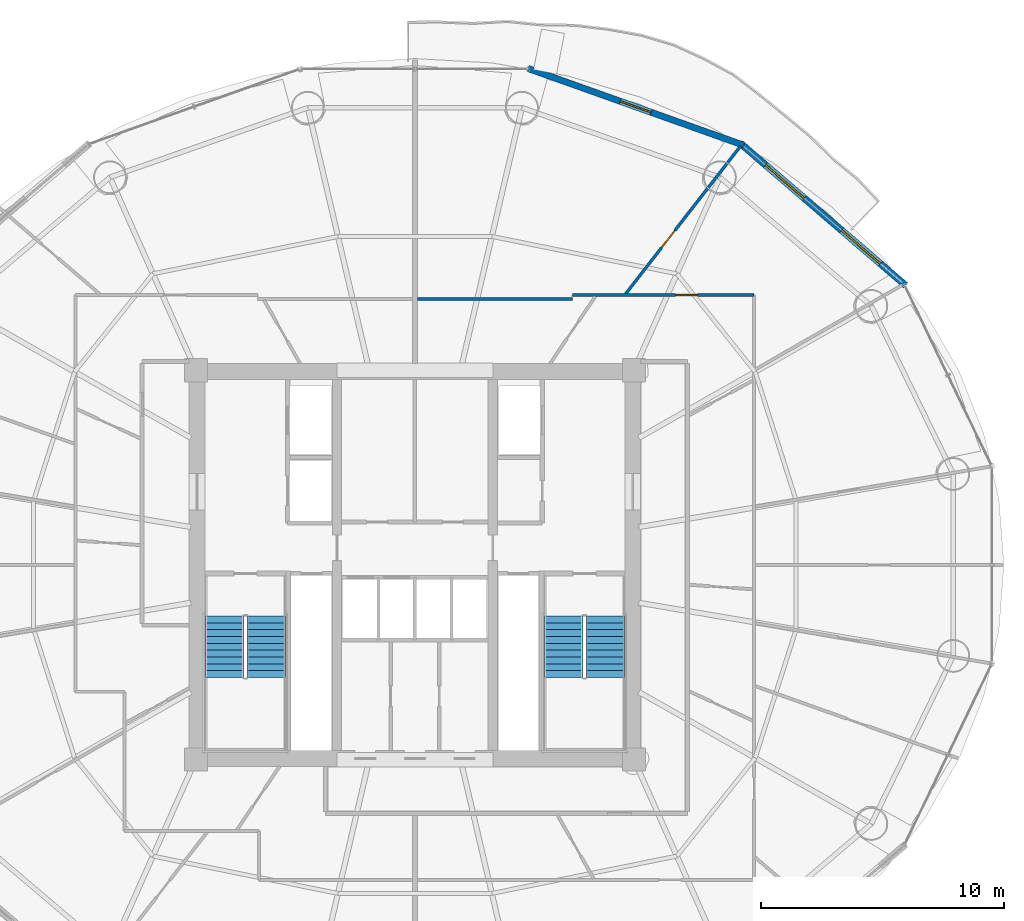
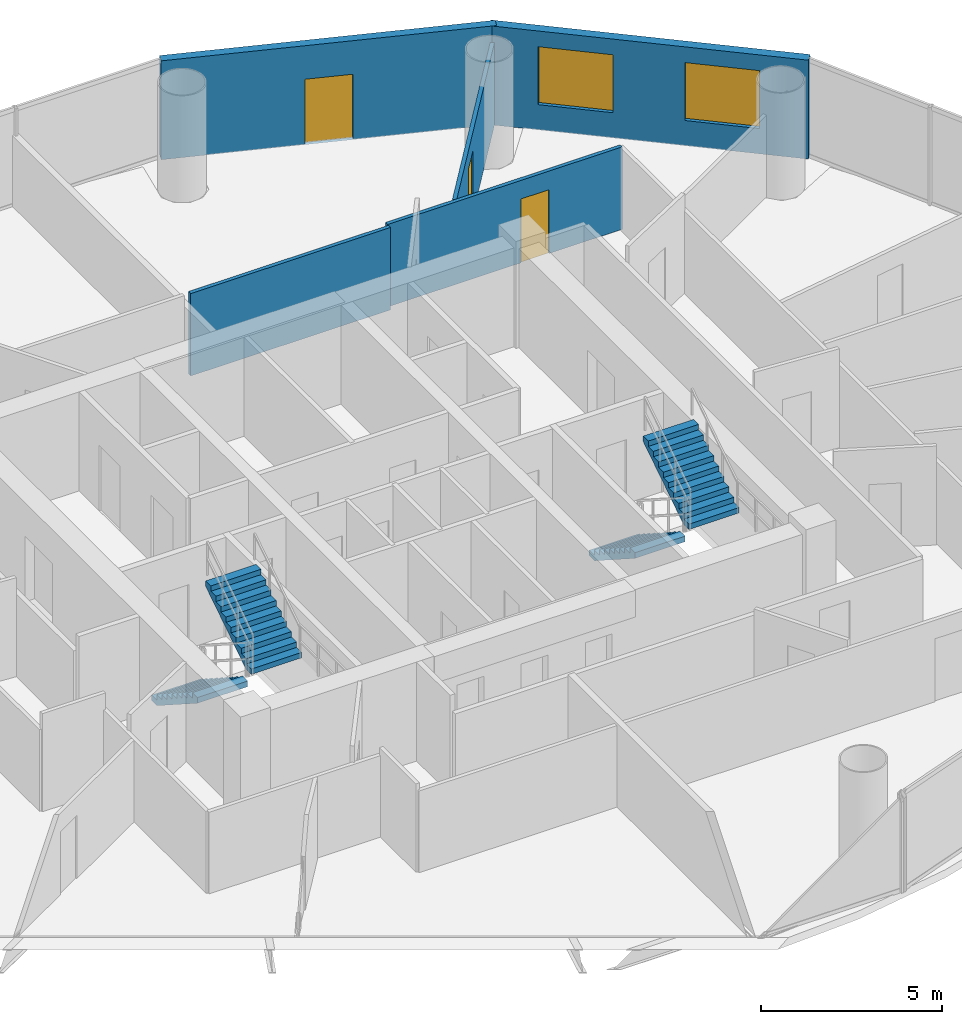
# One storey, part 23 of 26: 5 walls, 4 stair flights, 3 doors, 2 windows, 5 openings, 2 elements without a shape of their own.
"""IFC4 building model written with IfcOpenShell, lengths in metres."""

from ifc_helpers import new_model, si_unit, direction, frame, frame_2d, origin, place, context, subcontext, project, spatial, polyline, rectangle, outline, extrude, source, transform, mapped, material, layer, layer_set, type_object, element, fill, aggregate, save


model = new_model("IFC4")

# Units and contexts
model_context = context("Model", 3, precision=1e-05, world=origin(), true_north=direction((-0.2419218956, 0.970295726276)))
body_context = subcontext(model_context, "Body", "Model", "MODEL_VIEW")
ifc_project = project(units=[si_unit("LENGTHUNIT", "METRE"), si_unit("AREAUNIT", "SQUARE_METRE"), si_unit("VOLUMEUNIT", "CUBIC_METRE"), si_unit("PLANEANGLEUNIT", "RADIAN"), si_unit("MASSUNIT", "GRAM", prefix="KILO")], contexts=[model_context])

# Site, building, storey
site_placement = place(None, origin())
site = spatial("IfcSite", under=ifc_project, at=site_placement, CompositionType="ELEMENT")
building_placement = place(site_placement, origin())
building = spatial("IfcBuilding", under=site, at=building_placement, Name="Cobrevalo Terracotta Tower", CompositionType="ELEMENT")
storey_placement = place(building_placement, frame((0.0, 0.0, 167.800048828125)))
storey = spatial("IfcBuildingStorey", under=building, at=storey_placement, Name="L44", CompositionType="ELEMENT", Elevation=167.800048828125)

# Wall, openings, windows
ifc_material_1 = material(Name="Autoclaved aerated concrete block", Category="concrete")
ifc_layer_1 = layer(ifc_material_1, 0.280029296875)
ifc_layer_set_1 = layer_set([ifc_layer_1], Name="Autoclaved aerated concrete block")
wall_type_1 = type_object("IfcWallType", Name="Insulated tower spandrel & pier wall 280 mm with terracotta rainscreen", PredefinedType="SOLIDWALL", material=ifc_layer_set_1)
wall_1_placement = place(storey_placement, frame((58.1572265625, 38.287109375, 0.0), z_axis=(0.0, 0.0, 1.0), x_axis=(-0.75843401647, 0.651749831348, 0.0)))
wall_1 = element("IfcWall", 1, at=wall_1_placement, inside=storey, type_object=wall_type_1, Name="L44 terracotta rainscreen pier wall S02", PredefinedType="SOLIDWALL", context=body_context, shape_type="SweptSolid", body=[
    extrude(rectangle(XDim=8.952392578125, YDim=0.280029296875, at=frame_2d((4.47607421875, 0.0))), origin(), (0.0, 0.0, 1.0), 3.329833984375),
])
opening_1_placement = place(wall_1_placement, frame((1.3671875, 0.0, 0.85009765625)))
opening_1 = element("IfcOpeningElement", 2, at=opening_1_placement, cuts=wall_1, Name="Opening WN-10", PredefinedType="OPENING", context=body_context, shape_type="SweptSolid", body=[
    extrude(rectangle(XDim=2.10009765625, YDim=1.949951171875, at=frame_2d((1.050048828125, 0.97509765625))), frame((0.0, 0.14990234375, 0.0), z_axis=(0.0, -1.0, 0.0), x_axis=(1.0, 0.0, 0.0)), (0.0, 0.0, 1.0), 0.300048828125),
])
opening_2_placement = place(wall_1_placement, frame((5.4853515625, 0.0, 0.85009765625)))
opening_2 = element("IfcOpeningElement", 3, at=opening_2_placement, cuts=wall_1, Name="Opening WN-10", PredefinedType="OPENING", context=body_context, shape_type="SweptSolid", body=[
    extrude(rectangle(XDim=2.10009765625, YDim=1.949951171875, at=frame_2d((1.050048828125, 0.97509765625))), frame((0.0, 0.14990234375, 0.0), z_axis=(0.0, -1.0, 0.0), x_axis=(1.0, 0.0, 0.0)), (0.0, 0.0, 1.0), 0.300048828125),
])
ifc_material_2 = material(Name="Solar-control low-E double glazing", Category="glass")
window_type = type_object("IfcWindowType", Name="Wide panoramic low-E aluminium window 2100x1950", PartitioningType="SINGLE_PANEL", PredefinedType="WINDOW", material=ifc_material_2)
shared_shape_1 = source(origin(), body_context, "Body", "SweptSolid", [
    extrude(rectangle(XDim=2.10009765625, YDim=1.949951171875, at=frame_2d((1.050048828125, 0.97509765625))), frame((0.0, 0.030029296875, 0.0), z_axis=(0.0, -1.0, 0.0), x_axis=(1.0, 0.0, 0.0)), (0.0, 0.0, 1.0), 0.06005859375),
])
window_1_placement = place(opening_1_placement, origin())
window_1 = element("IfcWindow", 4, at=window_1_placement, inside=storey, type_object=window_type, Name="L44 suite window S02A", OverallHeight=1.949951171875, OverallWidth=2.10009765625, PartitioningType="SINGLE_PANEL", PredefinedType="WINDOW", context=body_context, shape_type="MappedRepresentation", body=[
    mapped(shared_shape_1, transform((0.0, 0.0, 0.0), scale=1.0)),
])
fill(opening_1, window_1)
window_2_placement = place(opening_2_placement, origin())
window_2 = element("IfcWindow", 5, at=window_2_placement, inside=storey, type_object=window_type, Name="L44 suite window S02B", OverallHeight=1.949951171875, OverallWidth=2.10009765625, PartitioningType="SINGLE_PANEL", PredefinedType="WINDOW", context=body_context, shape_type="MappedRepresentation", body=[
    mapped(shared_shape_1, transform((0.0, 0.0, 0.0), scale=1.0)),
])
fill(opening_2, window_2)

# Wall, opening, door
ifc_layer_2 = layer(ifc_material_1, 0.260009765625)
ifc_layer_set_2 = layer_set([ifc_layer_2], Name="Autoclaved aerated concrete block")
wall_type_2 = type_object("IfcWallType", Name="Recessed balcony loggia insulated exterior wall 260 mm", PredefinedType="SOLIDWALL", material=ifc_layer_set_2)
wall_2_placement = place(storey_placement, frame((51.50341796875, 44.042724609375, 0.0), z_axis=(0.0, 0.0, 1.0), x_axis=(-0.942095406405, 0.335344964522, 0.0)))
wall_2 = element("IfcWall", 6, at=wall_2_placement, inside=storey, type_object=wall_type_2, Name="L44 balcony loggia wall S03", PredefinedType="SOLIDWALL", context=body_context, shape_type="SweptSolid", body=[
    extrude(rectangle(XDim=9.408203125, YDim=0.260009765625, at=frame_2d((4.7041015625, 0.0))), origin(), (0.0, 0.0, 1.0), 3.329833984375),
])
opening_3_placement = place(wall_2_placement, frame((4.029052734375, 0.0, 0.0)))
opening_3 = element("IfcOpeningElement", 7, at=opening_3_placement, cuts=wall_2, Name="Opening ED-05", PredefinedType="OPENING", context=body_context, shape_type="SweptSolid", body=[
    extrude(rectangle(XDim=1.35009765625, YDim=2.199951171875, at=frame_2d((0.675048828125, 1.10009765625))), frame((0.0, 0.14013671875, 0.0), z_axis=(0.0, -1.0, 0.0), x_axis=(1.0, 0.0, 0.0)), (0.0, 0.0, 1.0), 0.280029296875),
])
ifc_material_3 = material(Name="Anodized aluminium and laminated glass", Category="aluminium")
door_type_1 = type_object("IfcDoorType", Name="Suite balcony acoustic glazed terrace door 1350x2200", OperationType="NOTDEFINED", PredefinedType="DOOR", material=ifc_material_3)
shared_shape_2 = source(origin(), body_context, "Body", "SweptSolid", [
    extrude(rectangle(XDim=1.35009765625, YDim=2.199951171875, at=frame_2d((0.675048828125, 1.10009765625))), frame((0.0, 0.02490234375, 0.0), z_axis=(0.0, -1.0, 0.0), x_axis=(1.0, 0.0, 0.0)), (0.0, 0.0, 1.0), 0.050048828125),
])
door_1_placement = place(opening_3_placement, frame((1.35009765625, 0.0, 0.0), z_axis=(0.0, 0.0, 1.0), x_axis=(-1.0, 0.0, 0.0)))
door_1 = element("IfcDoor", 8, at=door_1_placement, inside=storey, type_object=door_type_1, Name="L44 glazed balcony terrace door 1", OperationType="SINGLE_SWING_LEFT", OverallHeight=2.199951171875, OverallWidth=1.35009765625, PredefinedType="DOOR", context=body_context, shape_type="MappedRepresentation", body=[
    mapped(shared_shape_2, transform((0.0, 0.0, 0.0), scale=1.0)),
])
fill(opening_3, door_1)

# Wall
ifc_material_4 = material(Name="Gypsum board on steel stud", Category="steel")
ifc_layer_3 = layer(ifc_material_4, 0.1201171875)
ifc_layer_set_3 = layer_set([ifc_layer_3], Name="Gypsum board on steel stud")
wall_type_3 = type_object("IfcWallType", Name="Residential internal acoustic stud partition 120 mm", PredefinedType="PARTITIONING", material=ifc_layer_set_3)
wall_3_placement = place(storey_placement, frame((38.10205078125, 37.72509765625, 0.0), z_axis=(0.0, 0.0, 1.0), x_axis=(1.0, 0.0, 0.0)))
element("IfcWall", 9, at=wall_3_placement, inside=storey, type_object=wall_type_3, Name="L44 interior partition IW-L44-U2-RING0_0", PredefinedType="PARTITIONING", context=body_context, shape_type="SweptSolid", body=[
    extrude(rectangle(XDim=6.363037109375, YDim=0.1201171875, at=frame_2d((3.181640625, 0.0))), origin(), (0.0, 0.0, 1.0), 2.77587890625),
])

# Wall, opening, door
wall_4_placement = place(storey_placement, frame((44.465087890625, 37.885009765625, 0.0), z_axis=(0.0, 0.0, 1.0), x_axis=(1.0, 0.0, 0.0)))
wall_4 = element("IfcWall", 10, at=wall_4_placement, inside=storey, type_object=wall_type_3, Name="L44 interior partition IW-L44-U2-RING2_0", PredefinedType="PARTITIONING", context=body_context, shape_type="SweptSolid", body=[
    extrude(rectangle(XDim=7.469970703125, YDim=0.1201171875, at=frame_2d((3.73486328125, 0.0))), origin(), (0.0, 0.0, 1.0), 2.77587890625),
])
opening_4_placement = place(wall_4_placement, frame((4.2412109375, 0.0, 0.0)))
opening_4 = element("IfcOpeningElement", 11, at=opening_4_placement, cuts=wall_4, Name="Opening ID-12", PredefinedType="OPENING", context=body_context, shape_type="SweptSolid", body=[
    extrude(rectangle(XDim=0.89990234375, YDim=2.14990234375, at=frame_2d((0.449951171875, 1.074951171875))), frame((0.0, 0.070068359375, 0.0), z_axis=(0.0, -1.0, 0.0), x_axis=(1.0, 0.0, 0.0)), (0.0, 0.0, 1.0), 0.14013671875),
])
ifc_material_5 = material(Name="Engineered timber", Category="wood")
door_type_2 = type_object("IfcDoorType", Name="Internal residence & suite timber door 900x2150", OperationType="NOTDEFINED", PredefinedType="DOOR", material=ifc_material_5)
shared_shape_3 = source(origin(), body_context, "Body", "SweptSolid", [
    extrude(rectangle(XDim=0.89990234375, YDim=2.14990234375, at=frame_2d((0.449951171875, 1.074951171875))), frame((0.0, 0.02490234375, 0.0), z_axis=(0.0, -1.0, 0.0), x_axis=(1.0, 0.0, 0.0)), (0.0, 0.0, 1.0), 0.050048828125),
])
door_2_placement = place(opening_4_placement, origin())
door_2 = element("IfcDoor", 12, at=door_2_placement, inside=storey, type_object=door_type_2, Name="Flat L44B Penthouse Family Lounge internal door", OperationType="SINGLE_SWING_LEFT", OverallHeight=2.14990234375, OverallWidth=0.89990234375, PredefinedType="DOOR", context=body_context, shape_type="MappedRepresentation", body=[
    mapped(shared_shape_3, transform((0.0, 0.0, 0.0), scale=1.0)),
])
fill(opening_4, door_2)

wall_5_placement = place(storey_placement, frame((46.655517578125, 37.933837890625, 0.0), z_axis=(0.0, 0.0, 1.0), x_axis=(0.613758289074, 0.789493991487, 0.0)))
wall_5 = element("IfcWall", 13, at=wall_5_placement, inside=storey, type_object=wall_type_3, Name="L44 interior partition IW-L44-U2-ORAD5", PredefinedType="PARTITIONING", context=body_context, shape_type="SweptSolid", body=[
    extrude(rectangle(XDim=7.695068359375, YDim=0.1201171875, at=frame_2d((3.84765625, 0.0))), origin(), (0.0, 0.0, 1.0), 2.77587890625),
])
opening_5_placement = place(wall_5_placement, frame((2.399169921875, 0.0, 0.0)))
opening_5 = element("IfcOpeningElement", 14, at=opening_5_placement, cuts=wall_5, Name="Opening ID-12", PredefinedType="OPENING", context=body_context, shape_type="SweptSolid", body=[
    extrude(rectangle(XDim=0.89990234375, YDim=2.14990234375, at=frame_2d((0.449951171875, 1.074951171875))), frame((0.0, 0.070068359375, 0.0), z_axis=(0.0, -1.0, 0.0), x_axis=(1.0, 0.0, 0.0)), (0.0, 0.0, 1.0), 0.14013671875),
])
door_3_placement = place(opening_5_placement, origin())
door_3 = element("IfcDoor", 15, at=door_3_placement, inside=storey, type_object=door_type_2, Name="Flat L44B Private Cinema Room internal door", OperationType="SINGLE_SWING_RIGHT", OverallHeight=2.14990234375, OverallWidth=0.89990234375, PredefinedType="DOOR", context=body_context, shape_type="MappedRepresentation", body=[
    mapped(shared_shape_3, transform((0.0, 0.0, 0.0), scale=1.0)),
])
fill(opening_5, door_3)

# Stair, stair flights
ifc_material_6 = material(Name="Concrete C50", Category="concrete")
stair_type = type_object("IfcStairType", Name="Core protected escape dogleg stair 1600", PredefinedType="HALF_TURN_STAIR", material=ifc_material_6)
stair_1_placement = place(storey_placement, origin())
stair_1 = element("IfcStair", 16, at=stair_1_placement, inside=storey, type_object=stair_type, Name="L44 Protected exit stair ST-1", PredefinedType="HALF_TURN_STAIR")
stair_flight_type = type_object("IfcStairFlightType", Name="Core protected escape dogleg stair 1600 flight", PredefinedType="STRAIGHT", material=ifc_material_6)
stair_flight_1_placement = place(storey_placement, frame((30.175048828125, 24.699951171875, 0.0), z_axis=(0.0, 0.0, 1.0), x_axis=(0.0, -1.0, 0.0)))
stair_flight_1 = element("IfcStairFlight", 17, at=stair_flight_1_placement, type_object=stair_flight_type, Name="ST-1 flight 1", NumberOfRisers=10, NumberOfTreads=9, PredefinedType="STRAIGHT", RiserHeight=0.18, TreadLength=0.28, context=body_context, shape_type="SweptSolid", body=[
    extrude(outline(polyline([(0.0, 0.0), (0.0, 0.179931640625), (0.280029296875, 0.179931640625), (0.280029296875, 0.360107421875), (0.56005859375, 0.360107421875), (0.56005859375, 0.5400390625), (0.840087890625, 0.5400390625), (0.840087890625, 0.719970703125), (1.1201171875, 0.719970703125), (1.1201171875, 0.89990234375), (1.39990234375, 0.89990234375), (1.39990234375, 1.080078125), (1.679931640625, 1.080078125), (1.679931640625, 1.260009765625), (1.9599609375, 1.260009765625), (1.9599609375, 1.43994140625), (2.239990234375, 1.43994140625), (2.239990234375, 1.6201171875), (2.52001953125, 1.6201171875), (2.52001953125, 1.800048828125), (2.52001953125, 1.429931640625), (0.295654296875, 0.0), (0.0, 0.0)])), frame((0.0, 0.800048828125, 0.0), z_axis=(0.0, -1.0, 0.0), x_axis=(1.0, 0.0, 0.0)), (0.0, 0.0, 1.0), 1.60009765625),
])
stair_flight_2_placement = place(storey_placement, frame((31.89501953125, 22.179931640625, 1.800048828125), z_axis=(0.0, 0.0, 1.0), x_axis=(0.0, 1.0, 0.0)))
stair_flight_2 = element("IfcStairFlight", 18, at=stair_flight_2_placement, type_object=stair_flight_type, Name="ST-1 flight 2", NumberOfRisers=10, NumberOfTreads=9, PredefinedType="STRAIGHT", RiserHeight=0.18, TreadLength=0.28, context=body_context, shape_type="SweptSolid", body=[
    extrude(outline(polyline([(0.0, 0.0), (0.0, 0.179931640625), (0.280029296875, 0.179931640625), (0.280029296875, 0.360107421875), (0.56005859375, 0.360107421875), (0.56005859375, 0.5400390625), (0.840087890625, 0.5400390625), (0.840087890625, 0.719970703125), (1.1201171875, 0.719970703125), (1.1201171875, 0.89990234375), (1.39990234375, 0.89990234375), (1.39990234375, 1.080078125), (1.679931640625, 1.080078125), (1.679931640625, 1.260009765625), (1.9599609375, 1.260009765625), (1.9599609375, 1.43994140625), (2.239990234375, 1.43994140625), (2.239990234375, 1.6201171875), (2.52001953125, 1.6201171875), (2.52001953125, 1.800048828125), (2.52001953125, 1.429931640625), (0.295654296875, 0.0), (0.0, 0.0)])), frame((0.0, 0.800048828125, 0.0), z_axis=(0.0, -1.0, 0.0), x_axis=(1.0, 0.0, 0.0)), (0.0, 0.0, 1.0), 1.60009765625),
])
aggregate(stair_1, [stair_flight_1, stair_flight_2])

stair_2_placement = place(storey_placement, origin())
stair_2 = element("IfcStair", 19, at=stair_2_placement, inside=storey, type_object=stair_type, Name="L44 Protected exit stair ST-2", PredefinedType="HALF_TURN_STAIR")
stair_flight_3_placement = place(storey_placement, frame((44.10498046875, 24.699951171875, 0.0), z_axis=(0.0, 0.0, 1.0), x_axis=(0.0, -1.0, 0.0)))
stair_flight_3 = element("IfcStairFlight", 20, at=stair_flight_3_placement, type_object=stair_flight_type, Name="ST-2 flight 1", NumberOfRisers=10, NumberOfTreads=9, PredefinedType="STRAIGHT", RiserHeight=0.18, TreadLength=0.28, context=body_context, shape_type="SweptSolid", body=[
    extrude(outline(polyline([(0.0, 0.0), (0.0, 0.179931640625), (0.280029296875, 0.179931640625), (0.280029296875, 0.360107421875), (0.56005859375, 0.360107421875), (0.56005859375, 0.5400390625), (0.840087890625, 0.5400390625), (0.840087890625, 0.719970703125), (1.1201171875, 0.719970703125), (1.1201171875, 0.89990234375), (1.39990234375, 0.89990234375), (1.39990234375, 1.080078125), (1.679931640625, 1.080078125), (1.679931640625, 1.260009765625), (1.9599609375, 1.260009765625), (1.9599609375, 1.43994140625), (2.239990234375, 1.43994140625), (2.239990234375, 1.6201171875), (2.52001953125, 1.6201171875), (2.52001953125, 1.800048828125), (2.52001953125, 1.429931640625), (0.295654296875, 0.0), (0.0, 0.0)])), frame((0.0, 0.800048828125, 0.0), z_axis=(0.0, -1.0, 0.0), x_axis=(1.0, 0.0, 0.0)), (0.0, 0.0, 1.0), 1.60009765625),
])
stair_flight_4_placement = place(storey_placement, frame((45.824951171875, 22.179931640625, 1.800048828125), z_axis=(0.0, 0.0, 1.0), x_axis=(0.0, 1.0, 0.0)))
stair_flight_4 = element("IfcStairFlight", 21, at=stair_flight_4_placement, type_object=stair_flight_type, Name="ST-2 flight 2", NumberOfRisers=10, NumberOfTreads=9, PredefinedType="STRAIGHT", RiserHeight=0.18, TreadLength=0.28, context=body_context, shape_type="SweptSolid", body=[
    extrude(outline(polyline([(0.0, 0.0), (0.0, 0.179931640625), (0.280029296875, 0.179931640625), (0.280029296875, 0.360107421875), (0.56005859375, 0.360107421875), (0.56005859375, 0.5400390625), (0.840087890625, 0.5400390625), (0.840087890625, 0.719970703125), (1.1201171875, 0.719970703125), (1.1201171875, 0.89990234375), (1.39990234375, 0.89990234375), (1.39990234375, 1.080078125), (1.679931640625, 1.080078125), (1.679931640625, 1.260009765625), (1.9599609375, 1.260009765625), (1.9599609375, 1.43994140625), (2.239990234375, 1.43994140625), (2.239990234375, 1.6201171875), (2.52001953125, 1.6201171875), (2.52001953125, 1.800048828125), (2.52001953125, 1.429931640625), (0.295654296875, 0.0), (0.0, 0.0)])), frame((0.0, 0.800048828125, 0.0), z_axis=(0.0, -1.0, 0.0), x_axis=(1.0, 0.0, 0.0)), (0.0, 0.0, 1.0), 1.60009765625),
])
aggregate(stair_2, [stair_flight_3, stair_flight_4])

save(model, "model.ifc")
